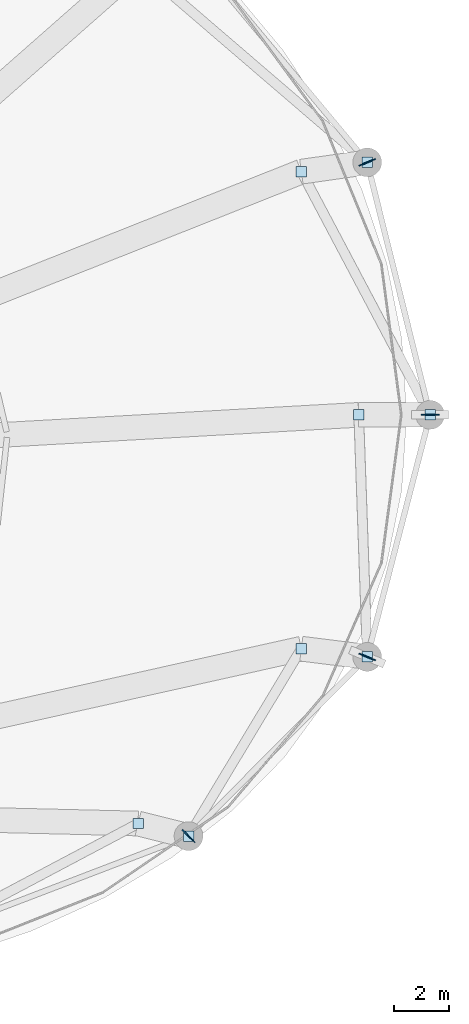
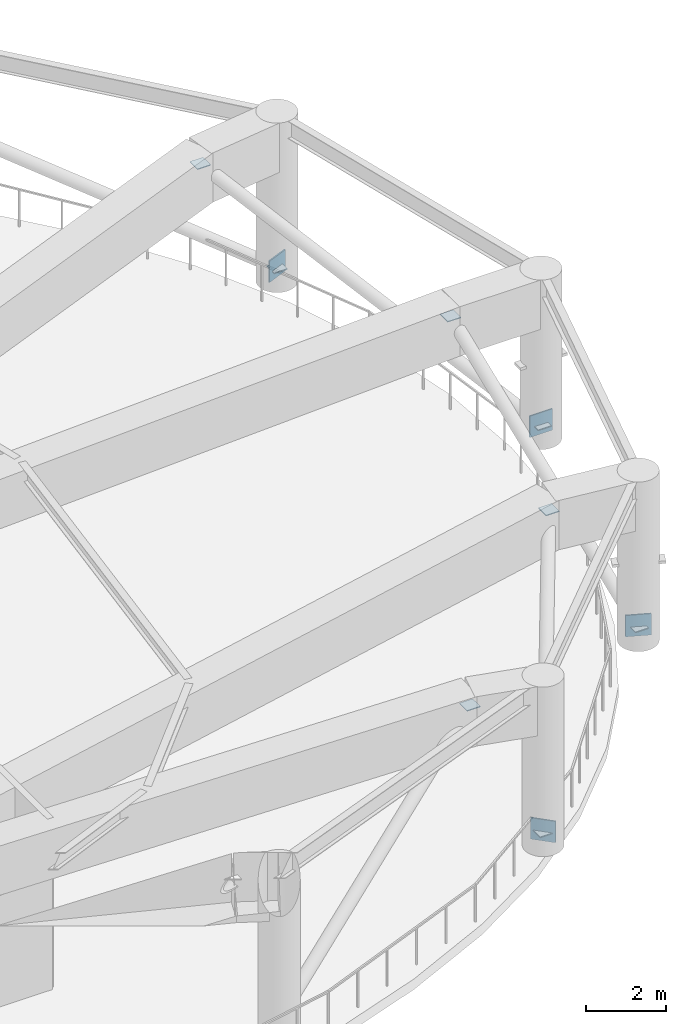
# One storey, part 4 of 9: 12 plates.
"""IFC4 building model written with IfcOpenShell, lengths in metres."""

import ifcopenshell
import ifcopenshell.guid

model = None  # the IFC model being written
_history = None  # IfcOwnerHistory: only IFC2X3 demands one
_inside = {}  # id of a spatial element -> (the spatial element, [elements in it])
_under = {}  # id of a project, library or spatial element -> (it, [spatial elements below it])
_declared = {}  # id of a project -> (the project, [libraries it declares])
_typed = {}  # id of a type object -> (the type object, [elements of that type])
_made_of = {}  # id of a material, layer set ... -> (it, [elements and type objects made of it])


def new_model(schema):
    """Start an empty IFC model of exactly this schema.

    Asked for "IFC4X3", IfcOpenShell would pick the latest addendum, in which some entities
    have other attributes; the version numbers below select the first issue.
    IFC2X3 requires an IfcOwnerHistory on every rooted entity: one is made here for all.
    """
    global model, _history
    if schema == "IFC4X3":
        model = ifcopenshell.file(schema_version=(4, 3, 0, 0))
    else:
        model = ifcopenshell.file(schema=schema)
    _inside.clear()
    _under.clear()
    _declared.clear()
    _typed.clear()
    _made_of.clear()
    _history = None
    if model.schema == "IFC2X3":
        org = make("IfcOrganization", Name="unknown")
        user = make(
            "IfcPersonAndOrganization",
            ThePerson=make("IfcPerson", FamilyName="unknown"),
            TheOrganization=org,
        )
        app = make(
            "IfcApplication",
            ApplicationDeveloper=org,
            Version="unknown",
            ApplicationFullName="unknown",
            ApplicationIdentifier="unknown",
        )
        _history = make(
            "IfcOwnerHistory",
            OwningUser=user,
            OwningApplication=app,
            ChangeAction="ADDED",
            CreationDate=0,
        )
    return model


def make(cls, **values):
    """One entity of the class cls with the attributes given. An attribute that is None is left unset."""
    return model.create_entity(
        cls, **{name: value for name, value in values.items() if value is not None}
    )


def rooted(cls, **values):
    """An entity with a GlobalId (a new one), such as an element, a storey or a relation."""
    return make(cls, GlobalId=ifcopenshell.guid.new(), OwnerHistory=_history, **values)


def si_unit(unit_type, name, prefix=None):
    """IfcSIUnit, for example si_unit("LENGTHUNIT", "METRE", prefix="MILLI")."""
    return make("IfcSIUnit", UnitType=unit_type, Prefix=prefix, Name=name)


def assignment(units):
    """IfcUnitAssignment: the units of a project."""
    return None if units is None else make("IfcUnitAssignment", Units=units)


def point(xyz):
    """IfcCartesianPoint."""
    return None if xyz is None else make("IfcCartesianPoint", Coordinates=xyz)


def direction(xyz):
    """IfcDirection."""
    return None if xyz is None else make("IfcDirection", DirectionRatios=xyz)


def frame(location, z_axis=None, x_axis=None):
    """IfcAxis2Placement3D, a coordinate frame: its origin and axes. An axis left out is left unset."""
    return make(
        "IfcAxis2Placement3D",
        Location=point(location),
        Axis=direction(z_axis),
        RefDirection=direction(x_axis),
    )


def frame_2d(location, x_axis=None):
    """IfcAxis2Placement2D, a coordinate frame in the plane: its origin and x axis."""
    return make(
        "IfcAxis2Placement2D", Location=point(location), RefDirection=direction(x_axis)
    )


def origin():
    """The frame at (0, 0, 0) with its axes left unset."""
    return frame((0.0, 0.0, 0.0))


def origin_2d():
    """The frame at (0, 0) in the plane with its x axis left unset."""
    return frame_2d((0.0, 0.0))


def place(relative_to, where):
    """IfcLocalPlacement: puts the frame where relative to a parent placement (None: the world)."""
    return make(
        "IfcLocalPlacement", PlacementRelTo=relative_to, RelativePlacement=where
    )


def context(
    kind, dimensions, precision=None, world=None, true_north=None, identifier=None
):
    """IfcGeometricRepresentationContext, for example the 3D "Model" context."""
    return make(
        "IfcGeometricRepresentationContext",
        ContextIdentifier=identifier,
        ContextType=kind,
        CoordinateSpaceDimension=dimensions,
        Precision=precision,
        WorldCoordinateSystem=world,
        TrueNorth=true_north,
    )


def subcontext(parent, identifier, kind, view, scale=None):
    """IfcGeometricRepresentationSubContext, for example "Body" below "Model"."""
    return make(
        "IfcGeometricRepresentationSubContext",
        ContextIdentifier=identifier,
        ContextType=kind,
        ParentContext=parent,
        TargetScale=scale,
        TargetView=view,
    )


def project(units=None, contexts=None):
    """IfcProject with its units and contexts."""
    return rooted(
        "IfcProject",
        Name="project",
        RepresentationContexts=contexts,
        UnitsInContext=assignment(units),
    )


def spatial(cls, under=None, at=None, **own):
    """A site, building, storey or space (cls), placed at a placement, below another one or the project."""
    s = rooted(cls, ObjectPlacement=at, **own)
    if under is not None:
        _under.setdefault(under.id(), (under, []))[1].append(s)
    return s


def profile(cls, at=None, kind="AREA", **sizes):
    """A parametric profile (cls). Its sizes go by their IFC names, for example OverallWidth=200.0."""
    return make(cls, ProfileType=kind, Position=at, **sizes)


def rectangle(**sizes):
    """IfcRectangleProfileDef."""
    return profile("IfcRectangleProfileDef", **sizes)


def extrude(swept, where, along, depth):
    """IfcExtrudedAreaSolid: the profile swept, set in the frame where, extruded along a direction by depth."""
    return make(
        "IfcExtrudedAreaSolid",
        SweptArea=swept,
        Position=where,
        ExtrudedDirection=direction(along),
        Depth=depth,
    )


def shape(context_of_items, identifier, shape_type, items):
    """IfcShapeRepresentation: the items that make up one representation, for example the "Body"."""
    return make(
        "IfcShapeRepresentation",
        ContextOfItems=context_of_items,
        RepresentationIdentifier=identifier,
        RepresentationType=shape_type,
        Items=items,
    )


def material(Name=None, Category=None):
    """IfcMaterial."""
    return make("IfcMaterial", Name=Name, Category=Category)


def layer(
    of_material, thickness, ventilated=None, Name=None, Category=None, Priority=None
):
    """IfcMaterialLayer: one layer of a wall or slab, of a material (None: an air gap)."""
    return make(
        "IfcMaterialLayer",
        Material=of_material,
        LayerThickness=thickness,
        IsVentilated=ventilated,
        Name=Name,
        Category=Category,
        Priority=Priority,
    )


def layer_set(layers, Name=None):
    """IfcMaterialLayerSet."""
    return make("IfcMaterialLayerSet", MaterialLayers=layers, LayerSetName=Name)


def made_of(thing, what):
    """Note that an element or type object is made of a material, layer set ...; save() writes the relation."""
    if what is not None:
        _made_of.setdefault(what.id(), (what, []))[1].append(thing)
    return thing


def type_object(cls, material=None, **own):
    """A type object (cls), such as IfcWallType, which elements share."""
    return made_of(rooted(cls, **own), material)


def element(
    cls,
    number,
    at=None,
    inside=None,
    cuts=None,
    type_object=None,
    material=None,
    context=None,
    identifier="Body",
    shape_type=None,
    held_by="IfcProductDefinitionShape",
    body=None,
    shapes=None,
    **own,
):
    """One element of the class cls, such as IfcWall. Its Tag is "e" and its number.

    at: its placement. inside: the storey or other place that contains it. cuts: it is an
    opening in that element (IfcRelVoidsElement). A single representation is given by context,
    identifier, shape_type and body (its items); several are given by shapes. held_by: the class
    of the entity that holds the representations. save() writes the other relations.
    """
    e = rooted(cls, Tag="e%d" % number, ObjectPlacement=at, **own)
    if body is not None:
        shapes = [shape(context, identifier, shape_type, body)]
    if shapes is not None:
        e.Representation = make(held_by, Representations=shapes)
    if inside is not None:
        _inside.setdefault(inside.id(), (inside, []))[1].append(e)
    if cuts is not None:
        rooted(
            "IfcRelVoidsElement", RelatingBuildingElement=cuts, RelatedOpeningElement=e
        )
    if type_object is not None:
        _typed.setdefault(type_object.id(), (type_object, []))[1].append(e)
    return made_of(e, material)


def aggregate(whole, parts):
    """IfcRelAggregates: a whole, such as a stair, and the parts it consists of."""
    return rooted("IfcRelAggregates", RelatingObject=whole, RelatedObjects=parts)


def save(model, path):
    """Write the relations noted so far, then the file.

    IfcRelAggregates (storeys below a building ...), IfcRelContainedInSpatialStructure (elements
    in a storey), IfcRelDefinesByType, IfcRelAssociatesMaterial and IfcRelDeclares: one each for
    every whole, place, type object, material and project.
    """
    for whole, parts in _under.values():
        aggregate(whole, parts)
    for where, things in _inside.values():
        rooted(
            "IfcRelContainedInSpatialStructure",
            RelatedElements=things,
            RelatingStructure=where,
        )
    for kind, things in _typed.values():
        rooted("IfcRelDefinesByType", RelatedObjects=things, RelatingType=kind)
    for what, things in _made_of.values():
        rooted("IfcRelAssociatesMaterial", RelatedObjects=things, RelatingMaterial=what)
    for by, libraries in _declared.values():
        rooted("IfcRelDeclares", RelatingContext=by, RelatedDefinitions=libraries)
    model.write(path)


model = new_model("IFC4")

# Units and contexts
model_context = context("Model", 3, precision=1e-05, world=origin(), true_north=direction((0.0, 1.0)))
body_context = subcontext(model_context, "Body", "Model", "MODEL_VIEW")
ifc_project = project(units=[si_unit("LENGTHUNIT", "METRE"), si_unit("AREAUNIT", "SQUARE_METRE"), si_unit("VOLUMEUNIT", "CUBIC_METRE"), si_unit("PLANEANGLEUNIT", "RADIAN"), si_unit("MASSUNIT", "GRAM", prefix="KILO")], contexts=[model_context])

# Site, building, storey
site_placement = place(None, origin())
site = spatial("IfcSite", under=ifc_project, at=site_placement, CompositionType="ELEMENT")
building_placement = place(site_placement, origin())
building = spatial("IfcBuilding", under=site, at=building_placement, Name="Kazevale Care Tower and Concert Hall", CompositionType="ELEMENT")
storey_placement = place(building_placement, frame((0.0, 0.0, 253.199951171875)))
storey = spatial("IfcBuildingStorey", under=building, at=storey_placement, Name="L67", CompositionType="ELEMENT", Elevation=253.199951171875)

# Plates
ifc_material = material(Name="Steel ASTM A572 Gr 50", Category="steel")
ifc_layer_1 = layer(ifc_material, 0.02490234375)
ifc_layer_set_1 = layer_set([ifc_layer_1], Name="Steel ASTM A572 Gr 50")
plate_type_1 = type_object("IfcPlateType", Name="Hollow Section End Cap Plate 25mm", PredefinedType="USERDEFINED", material=ifc_layer_set_1)
for number, where, z_axis, x_axis, name in (
    (1, (75.050048828125, 38.0, 0.3876953125), (0.0, 0.0, 1.0), (1.0, 0.0, 0.0), "brace:L67:belt:01:cap0"),
    (2, (70.360107421875, 46.860107421875, 4.59765625), (0.0, 0.0, 1.0), (1.0, 0.0, 0.0), "brace:L67:belt:01:cap1"),
    (3, (72.760009765625, 47.199951171875, 0.3876953125), (0.0, 0.0, 1.0), (1.0, 0.0, 0.0), "brace:L67:belt:02:cap0"),
    (4, (64.409912109375, 23.110107421875, 4.59765625), (0.0, 0.0, 1.0), (1.0, 0.0, 0.0), "brace:L67:belt:14:cap1"),
    (5, (66.25, 22.64990234375, 0.3876953125), (0.0, 0.0, 1.0), (1.0, 0.0, 0.0), "brace:L67:belt:15:cap0"),
    (6, (70.360107421875, 29.47998046875, 4.59765625), (0.0, 0.0, 1.0), (1.0, 0.0, 0.0), "brace:L67:belt:15:cap1"),
    (7, (72.760009765625, 29.179931640625, 0.3876953125), (0.0, 0.0, 1.0), (1.0, 0.0, 0.0), "brace:L67:belt:16:cap0"),
    (8, (72.449951171875, 38.0, 4.59765625), (0.0, 0.0, 1.0), (1.0, 0.0, 0.0), "brace:L67:belt:16:cap1"),
):
    element("IfcPlate", number, at=place(storey_placement, frame(where, z_axis=z_axis, x_axis=x_axis)), inside=storey, type_object=plate_type_1, Name=name, ObjectType="END_CAP_PLATE", PredefinedType="USERDEFINED", context=body_context, shape_type="SweptSolid", body=[
        extrude(rectangle(XDim=0.3798828125, YDim=0.3798828125, at=origin_2d()), origin(), (0.0, 0.0, 1.0), 0.02490234375),
    ])
ifc_layer_2 = layer(ifc_material, 0.0400390625)
ifc_layer_set_2 = layer_set([ifc_layer_2], Name="Steel ASTM A572 Gr 50")
plate_type_2 = type_object("IfcPlateType", Name="Outrigger & Truss Gusset Plate 40mm", PredefinedType="USERDEFINED", material=ifc_layer_set_2)
for number, where, z_axis, x_axis, name in (
    (9, (75.050048828125, 38.0, 0.125), (0.0, 0.0, 1.0), (1.0, 0.0, 0.0), "plate:L67:gusset:01"),
    (10, (72.760009765625, 47.199951171875, 0.125), (0.0, 0.0, 1.0), (0.923879532511, 0.382683432365, 0.0), "plate:L67:gusset:02"),
    (11, (66.25, 22.64990234375, 0.125), (0.0, 0.0, 1.0), (0.707106781187, -0.707106781187, 0.0), "plate:L67:gusset:15"),
    (12, (72.760009765625, 29.179931640625, 0.125), (0.0, 0.0, 1.0), (0.923879532511, -0.382683432365, 0.0), "plate:L67:gusset:16"),
):
    element("IfcPlate", number, at=place(storey_placement, frame(where, z_axis=z_axis, x_axis=x_axis)), inside=storey, type_object=plate_type_2, Name=name, ObjectType="GUSSET_PLATE", PredefinedType="USERDEFINED", context=body_context, shape_type="SweptSolid", body=[
        extrude(rectangle(XDim=0.64990234375, YDim=0.0400390625, at=origin_2d()), origin(), (0.0, 0.0, 1.0), 0.64990234375),
    ])

save(model, "model.ifc")
